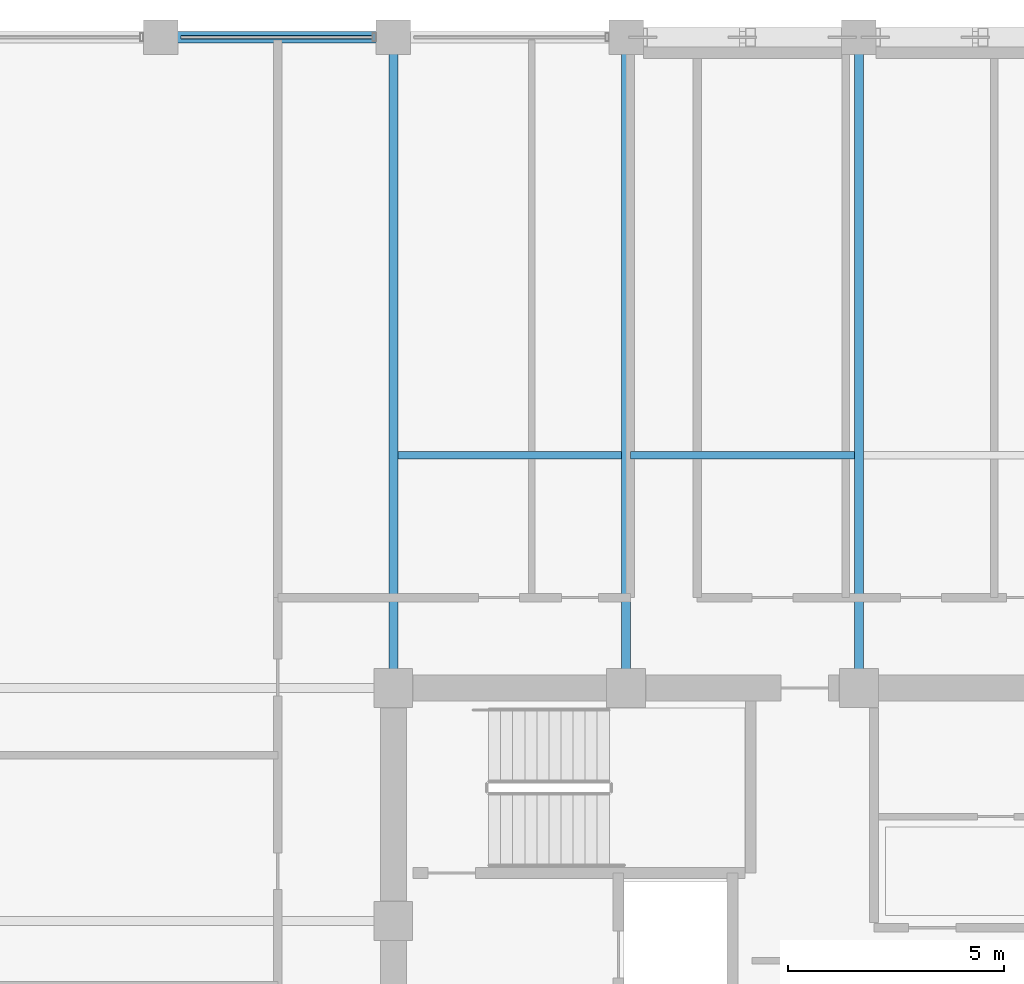
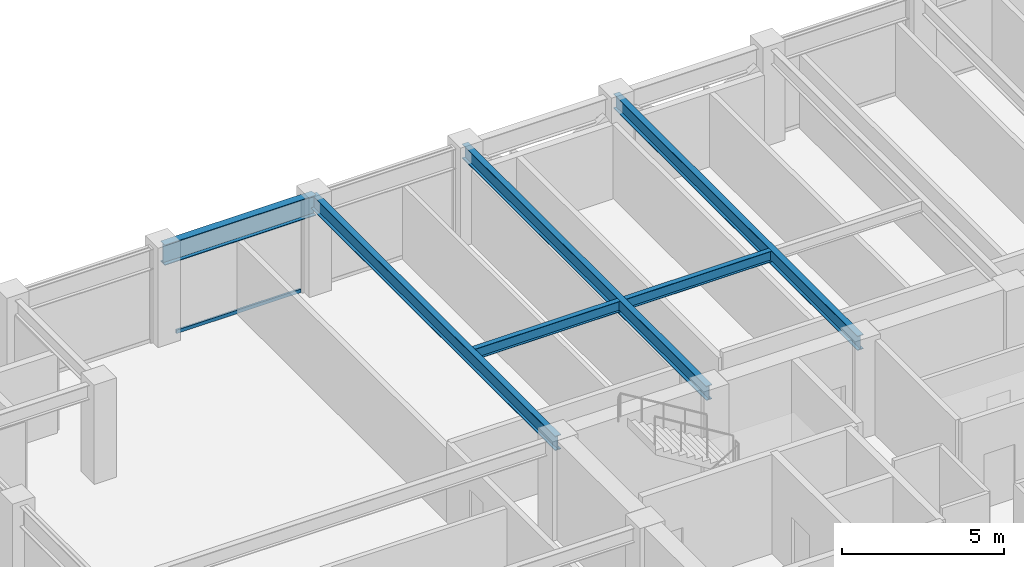
# One storey, part 16 of 28: 6 beams, 1 member, 1 element without a shape of its own.
"""IFC4 building model written with IfcOpenShell, lengths in metres."""

from ifc_helpers import new_model, si_unit, direction, frame, origin, origin_2d, place, context, subcontext, project, spatial, hollow_rectangle, i_section, extrude, material, layer, layer_set, material_profile, profile_set, type_object, element, aggregate, save


model = new_model("IFC4")

# Units and contexts
model_context = context("Model", 3, precision=1e-05, world=origin(), true_north=direction((0.0, 1.0)))
body_context = subcontext(model_context, "Body", "Model", "MODEL_VIEW")
ifc_project = project(units=[si_unit("LENGTHUNIT", "METRE"), si_unit("AREAUNIT", "SQUARE_METRE"), si_unit("VOLUMEUNIT", "CUBIC_METRE"), si_unit("PLANEANGLEUNIT", "RADIAN"), si_unit("MASSUNIT", "GRAM", prefix="KILO")], contexts=[model_context])

# Site, building, storey
site_placement = place(None, origin())
site = spatial("IfcSite", under=ifc_project, at=site_placement, CompositionType="ELEMENT")
building_placement = place(site_placement, origin())
building = spatial("IfcBuilding", under=site, at=building_placement, Name="Surkhivell Harbour Commons", CompositionType="ELEMENT")
storey_placement = place(building_placement, frame((0.0, 0.0, 238.5)))
storey = spatial("IfcBuildingStorey", under=building, at=storey_placement, Name="L62", CompositionType="ELEMENT", Elevation=238.5)

# Beams
ifc_material_1 = material(Name="Steel S355", Category="steel")
ifc_material_profile_1 = material_profile(ifc_material_1, i_section(OverallWidth=0.2119140625, OverallDepth=0.5439453125, WebThickness=0.0126953125, FlangeThickness=0.021240234375, at=origin_2d()), Name="UB533x210x122")
ifc_profile_set_1 = profile_set([ifc_material_profile_1], Name="Steel S355")
beam_type_1 = type_object("IfcBeamType", Name="BM-GRD-533A", PredefinedType="BEAM", material=ifc_profile_set_1)
for number, where, z_axis, x_axis, name in (
    (1, (-10.800048828125, 10.800048828125, 3.298095703125), (0.0, 1.0, 0.0), (-1.0, 0.0, 0.0), "L62 Floor Girder (-10.8,10.8)"),
    (2, (-5.39990234375, 10.800048828125, 3.298095703125), (0.0, 1.0, 0.0), (-1.0, 0.0, 0.0), "L62 Floor Girder (-5.4,10.8)"),
    (3, (0.0, 10.800048828125, 3.298095703125), (0.0, 1.0, 0.0), (-1.0, 0.0, 0.0), "L62 Floor Girder (0.0,10.8)"),
):
    element("IfcBeam", number, at=place(storey_placement, frame(where, z_axis=z_axis, x_axis=x_axis)), inside=storey, type_object=beam_type_1, Name=name, PredefinedType="BEAM", context=body_context, shape_type="SweptSolid", body=[
        extrude(i_section(OverallWidth=0.2119140625, OverallDepth=0.5439453125, WebThickness=0.0126953125, FlangeThickness=0.021240234375, at=origin_2d()), origin(), (0.0, 0.0, 1.0), 15.099853515625),
    ])
ifc_material_profile_2 = material_profile(ifc_material_1, i_section(OverallWidth=0.178955078125, OverallDepth=0.408935546875, WebThickness=0.0087890625, FlangeThickness=0.014404296875, at=origin_2d()), Name="UB406x178x67")
ifc_profile_set_2 = profile_set([ifc_material_profile_2], Name="Steel S355")
beam_type_2 = type_object("IfcBeamType", Name="BM-JST-406", PredefinedType="JOIST", material=ifc_profile_set_2)
beam_1_placement = place(storey_placement, frame((-10.696044921875, 16.199951171875, 3.365478515625), z_axis=(1.0, 0.0, 0.0), x_axis=(0.0, 1.0, 0.0)))
element("IfcBeam", 4, at=beam_1_placement, inside=storey, type_object=beam_type_2, Name="L62 North Composite Joist (-10.8)", PredefinedType="JOIST", context=body_context, shape_type="SweptSolid", body=[
    extrude(i_section(OverallWidth=0.178955078125, OverallDepth=0.408935546875, WebThickness=0.0087890625, FlangeThickness=0.014404296875, at=origin_2d()), origin(), (0.0, 0.0, 1.0), 5.192138671875),
])
beam_2_placement = place(storey_placement, frame((-5.2958984375, 16.199951171875, 3.365478515625), z_axis=(1.0, 0.0, 0.0), x_axis=(0.0, 1.0, 0.0)))
element("IfcBeam", 5, at=beam_2_placement, inside=storey, type_object=beam_type_2, Name="L62 North Composite Joist (-5.4)", PredefinedType="JOIST", context=body_context, shape_type="SweptSolid", body=[
    extrude(i_section(OverallWidth=0.178955078125, OverallDepth=0.408935546875, WebThickness=0.0087890625, FlangeThickness=0.014404296875, at=origin_2d()), origin(), (0.0, 0.0, 1.0), 5.19189453125),
])
ifc_material_profile_3 = material_profile(ifc_material_1, i_section(OverallWidth=0.26806640625, OverallDepth=0.77001953125, WebThickness=0.015625, FlangeThickness=0.025390625, at=origin_2d()), Name="UB762x267x197")
ifc_profile_set_3 = profile_set([ifc_material_profile_3], Name="Steel S355")
beam_type_3 = type_object("IfcBeamType", Name="BM-SPN-762", PredefinedType="SPANDREL", material=ifc_profile_set_3)
beam_3_placement = place(storey_placement, frame((-16.199951171875, 25.89990234375, 3.18505859375), z_axis=(1.0, 0.0, 0.0), x_axis=(0.0, 1.0, 0.0)))
element("IfcBeam", 6, at=beam_3_placement, inside=storey, type_object=beam_type_3, Name="L62 Tube Spandrel (-16.2,25.9)", PredefinedType="SPANDREL", context=body_context, shape_type="SweptSolid", body=[
    extrude(i_section(OverallWidth=0.26806640625, OverallDepth=0.77001953125, WebThickness=0.015625, FlangeThickness=0.025390625, at=origin_2d()), origin(), (0.0, 0.0, 1.0), 5.39990234375),
])

# Curtain wall, member
ifc_material_2 = material(Name="Anodised pale-metal aluminium and insulated glazing", Category="aluminium")
ifc_layer = layer(ifc_material_2, 0.18994140625)
ifc_layer_set = layer_set([ifc_layer], Name="Anodised pale-metal aluminium and insulated glazing")
curtain_wall_type = type_object("IfcCurtainWallType", Name="CW-SYS-Z3", PredefinedType="NOTDEFINED", material=ifc_layer_set)
curtain_wall_placement = place(storey_placement, origin())
curtain_wall = element("IfcCurtainWall", 7, at=curtain_wall_placement, inside=storey, type_object=curtain_wall_type, Name="L62 Curtain Wall CW-L62-E07S2", PredefinedType="NOTDEFINED")
ifc_material_3 = material(Name="Champagne anodised aluminium alloy 6063-T6", Category="aluminium")
ifc_material_profile_4 = material_profile(ifc_material_3, hollow_rectangle(XDim=0.070068359375, YDim=0.1298828125, WallThickness=0.00341796875, at=origin_2d()), Name="ALU-TRAN-70x130")
ifc_profile_set_4 = profile_set([ifc_material_profile_4], Name="Champagne anodised aluminium alloy 6063-T6")
member_type = type_object("IfcMemberType", Name="CWT-130", PredefinedType="USERDEFINED", material=ifc_profile_set_4)
member_placement = place(storey_placement, frame((-11.277099609375, 25.89990234375, 0.06494140625), z_axis=(-1.0, 0.0, 0.0), x_axis=(0.0, -1.0, 0.0)))
member = element("IfcMember", 8, at=member_placement, type_object=member_type, Name="CW-Z3 transom 2.1", ObjectType="TRANSOM", PredefinedType="USERDEFINED", context=body_context, shape_type="SweptSolid", body=[
    extrude(hollow_rectangle(XDim=0.070068359375, YDim=0.1298828125, WallThickness=0.00341796875, at=origin_2d()), origin(), (0.0, 0.0, 1.0), 4.44580078125),
])
aggregate(curtain_wall, [member])

save(model, "model.ifc")
